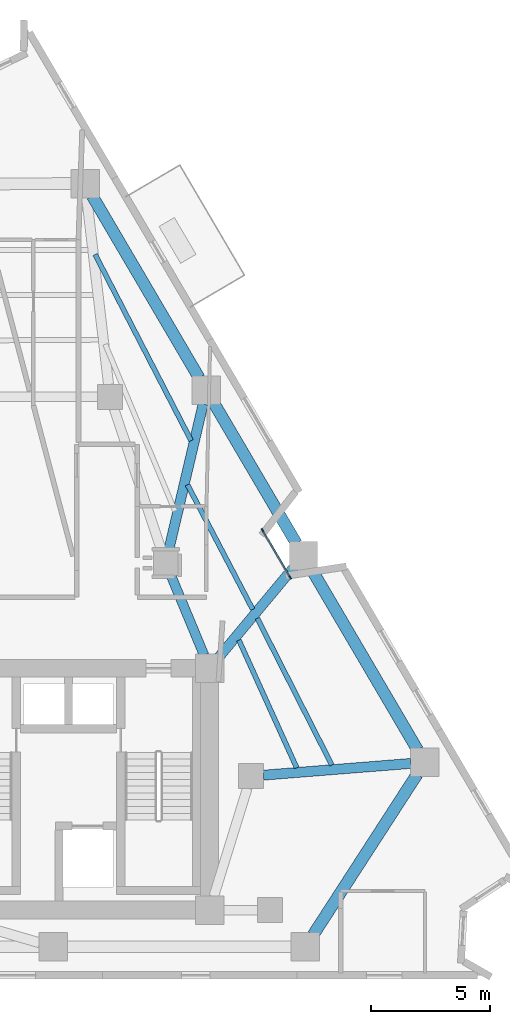
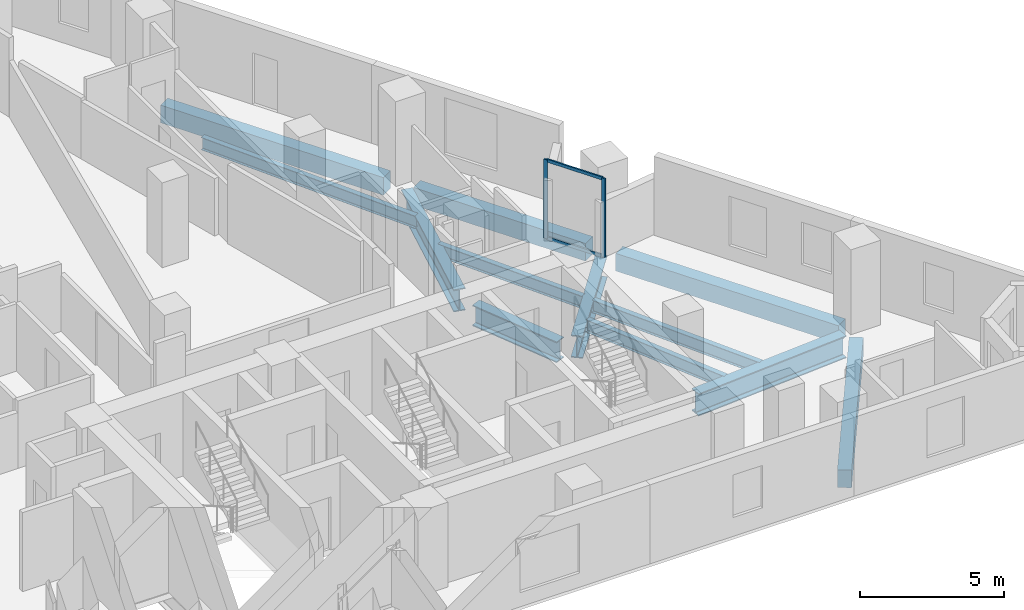
# One storey, part 4 of 11: 12 beams, 4 members, 1 element without a shape of its own.
"""IFC4 building model written with IfcOpenShell, lengths in metres."""

from ifc_helpers import new_model, si_unit, direction, frame, origin, origin_2d, place, context, subcontext, project, spatial, rectangle, i_section, extrude, material, layer, layer_set, material_profile, profile_set, type_object, element, aggregate, save


model = new_model("IFC4")

# Units and contexts
model_context = context("Model", 3, precision=1e-05, world=origin(), true_north=direction((0.0, 1.0)))
body_context = subcontext(model_context, "Body", "Model", "MODEL_VIEW")
ifc_project = project(units=[si_unit("LENGTHUNIT", "METRE"), si_unit("AREAUNIT", "SQUARE_METRE"), si_unit("VOLUMEUNIT", "CUBIC_METRE"), si_unit("PLANEANGLEUNIT", "RADIAN"), si_unit("MASSUNIT", "GRAM", prefix="KILO")], contexts=[model_context])

# Site, building, storey
site_placement = place(None, origin())
site = spatial("IfcSite", under=ifc_project, at=site_placement, CompositionType="ELEMENT")
building_placement = place(site_placement, origin())
building = spatial("IfcBuilding", under=site, at=building_placement, Name="Almagre Mirador Tower", CompositionType="ELEMENT")
storey_placement = place(building_placement, frame((0.0, 0.0, 124.800048828125)))
storey = spatial("IfcBuildingStorey", under=building, at=storey_placement, Name="L31", CompositionType="ELEMENT", Elevation=124.800048828125)

# Beams
ifc_material_1 = material(Name="Steel ASTM A992 Grade 50", Category="steel")
ifc_material_profile_1 = material_profile(ifc_material_1, i_section(OverallWidth=0.208984375, OverallDepth=0.532958984375, WebThickness=0.01025390625, FlangeThickness=0.015625, FilletRadius=0.01806640625, at=origin_2d()), Name="W21X62")
ifc_profile_set_1 = profile_set([ifc_material_profile_1], Name="Steel ASTM A992 Grade 50")
beam_type_1 = type_object("IfcBeamType", Name="BM-JST-W21X62", PredefinedType="JOIST", material=ifc_profile_set_1)
beam_1_placement = place(storey_placement, frame((52.208984375, 10.667724609375, -0.5166015625), z_axis=(-0.452785638359, 0.891619406303, 0.0), x_axis=(-0.891619406303, -0.452785638359, 0.0)))
element("IfcBeam", 1, at=beam_1_placement, inside=storey, type_object=beam_type_1, Name="L31 secondary floor joist PC05-PC06.2", PredefinedType="JOIST", context=body_context, shape_type="SweptSolid", body=[
    extrude(i_section(OverallWidth=0.208984375, OverallDepth=0.532958984375, WebThickness=0.01025390625, FlangeThickness=0.015625, FilletRadius=0.01806640625, at=origin_2d()), origin(), (0.0, 0.0, 1.0), 6.947021484375),
])
beam_2_placement = place(storey_placement, frame((50.726806640625, 10.552978515625, -0.5166015625), z_axis=(-0.412539238264, 0.910939831653, 0.0), x_axis=(-0.910939831653, -0.412539238264, 0.0)))
element("IfcBeam", 2, at=beam_2_placement, inside=storey, type_object=beam_type_1, Name="L31 secondary floor joist PC05-PC06.3", PredefinedType="JOIST", context=body_context, shape_type="SweptSolid", body=[
    extrude(i_section(OverallWidth=0.208984375, OverallDepth=0.532958984375, WebThickness=0.01025390625, FlangeThickness=0.015625, FilletRadius=0.01806640625, at=origin_2d()), origin(), (0.0, 0.0, 1.0), 5.911376953125),
])
beam_3_placement = place(storey_placement, frame((48.869384765625, 17.23779296875, -0.5166015625), z_axis=(-0.463750104962, 0.885966049094, 0.0), x_axis=(-0.885966049094, -0.463750104962, 0.0)))
element("IfcBeam", 3, at=beam_3_placement, inside=storey, type_object=beam_type_1, Name="L31 secondary floor joist PC06-PC07.2", PredefinedType="JOIST", context=body_context, shape_type="SweptSolid", body=[
    extrude(i_section(OverallWidth=0.208984375, OverallDepth=0.532958984375, WebThickness=0.01025390625, FlangeThickness=0.015625, FilletRadius=0.01806640625, at=origin_2d()), origin(), (0.0, 0.0, 1.0), 5.930908203125),
])
beam_4_placement = place(storey_placement, frame((46.27392578125, 24.352294921875, -0.5166015625), z_axis=(-0.458369241004, 0.888761857249, 0.0), x_axis=(-0.888761857249, -0.458369241004, 0.0)))
element("IfcBeam", 4, at=beam_4_placement, inside=storey, type_object=beam_type_1, Name="L31 secondary floor joist PC07-PC08.1", PredefinedType="JOIST", context=body_context, shape_type="SweptSolid", body=[
    extrude(i_section(OverallWidth=0.208984375, OverallDepth=0.532958984375, WebThickness=0.01025390625, FlangeThickness=0.015625, FilletRadius=0.01806640625, at=origin_2d()), origin(), (0.0, 0.0, 1.0), 8.840087890625),
])
ifc_material_2 = material(Name="Precast concrete C50/60", Category="concrete")
ifc_material_profile_2 = material_profile(ifc_material_2, rectangle(XDim=0.5, YDim=0.75, at=origin_2d()), Name="RC500X750")
ifc_profile_set_2 = profile_set([ifc_material_profile_2], Name="Precast concrete C50/60")
beam_type_2 = type_object("IfcBeamType", Name="BM-SPN-RC500X750", PredefinedType="SPANDREL", material=ifc_profile_set_2)
beam_5_placement = place(storey_placement, frame((51.422119140625, 3.503662109375, -0.625), z_axis=(0.543242499017, 0.839575837707, 0.0), x_axis=(-0.839575837707, 0.543242499017, 0.0)))
element("IfcBeam", 5, at=beam_5_placement, inside=storey, type_object=beam_type_2, Name="L31 perimeter spandrel beam PC04-PC05", PredefinedType="SPANDREL", context=body_context, shape_type="SweptSolid", body=[
    extrude(rectangle(XDim=0.5, YDim=0.75, at=origin_2d()), origin(), (0.0, 0.0, 1.0), 8.071533203125),
])
beam_6_placement = place(storey_placement, frame((55.8291015625, 11.301513671875, -0.625), z_axis=(-0.506318387543, 0.862346618498, 0.0), x_axis=(-0.862346618498, -0.506318387543, 0.0)))
element("IfcBeam", 6, at=beam_6_placement, inside=storey, type_object=beam_type_2, Name="L31 perimeter spandrel beam PC05-PC06", PredefinedType="SPANDREL", context=body_context, shape_type="SweptSolid", body=[
    extrude(rectangle(XDim=0.5, YDim=0.75, at=origin_2d()), origin(), (0.0, 0.0, 1.0), 8.911865234375),
])
beam_7_placement = place(storey_placement, frame((50.709228515625, 20.021484375, -0.625), z_axis=(-0.506343227047, 0.862332033745, 0.0), x_axis=(-0.862332033745, -0.506343227047, 0.0)))
element("IfcBeam", 7, at=beam_7_placement, inside=storey, type_object=beam_type_2, Name="L31 perimeter spandrel beam PC06-PC07", PredefinedType="SPANDREL", context=body_context, shape_type="SweptSolid", body=[
    extrude(rectangle(XDim=0.5, YDim=0.75, at=origin_2d()), origin(), (0.0, 0.0, 1.0), 6.8896484375),
])
beam_8_placement = place(storey_placement, frame((46.61328125, 26.997314453125, -0.625), z_axis=(-0.506326798076, 0.862341680281, 0.0), x_axis=(-0.862341680281, -0.506326798076, 0.0)))
element("IfcBeam", 8, at=beam_8_placement, inside=storey, type_object=beam_type_2, Name="L31 perimeter spandrel beam PC07-PC08", PredefinedType="SPANDREL", context=body_context, shape_type="SweptSolid", body=[
    extrude(rectangle(XDim=0.5, YDim=0.75, at=origin_2d()), origin(), (0.0, 0.0, 1.0), 8.912109375),
])
ifc_material_3 = material(Name="Steel ASTM A992 Grade 50", Category="steel")
ifc_material_profile_3 = material_profile(ifc_material_3, i_section(OverallWidth=0.404052734375, OverallDepth=0.884033203125, WebThickness=0.0244140625, FlangeThickness=0.0439453125, FilletRadius=0.02490234375, at=origin_2d()), Name="W33X291")
ifc_profile_set_3 = profile_set([ifc_material_profile_3], Name="Steel ASTM A992 Grade 50")
beam_type_3 = type_object("IfcBeamType", Name="BM-STL-W33X291", PredefinedType="BEAM", material=ifc_profile_set_3)
beam_9_placement = place(storey_placement, frame((45.401611328125, 18.715087890625, -0.692138671875), z_axis=(0.383845645019, -0.923397271384, 0.0), x_axis=(0.923397271384, 0.383845645019, 0.0)))
element("IfcBeam", 9, at=beam_9_placement, inside=storey, type_object=beam_type_3, Name="L31 core tie girder MC5-CC6", PredefinedType="BEAM", context=body_context, shape_type="SweptSolid", body=[
    extrude(i_section(OverallWidth=0.404052734375, OverallDepth=0.884033203125, WebThickness=0.0244140625, FlangeThickness=0.0439453125, FilletRadius=0.02490234375, at=origin_2d()), origin(), (0.0, 0.0, 1.0), 3.694091796875),
])
ifc_material_4 = material(Name="Steel ASTM A992 Grade 50", Category="steel")
ifc_material_profile_4 = material_profile(ifc_material_4, i_section(OverallWidth=0.423095703125, OverallDepth=0.947998046875, WebThickness=0.02392578125, FlangeThickness=0.042724609375, FilletRadius=0.028076171875, at=origin_2d()), Name="W36X302")
ifc_profile_set_4 = profile_set([ifc_material_profile_4], Name="Steel ASTM A992 Grade 50")
beam_type_4 = type_object("IfcBeamType", Name="BM-STL-W36X302", PredefinedType="BEAM", material=ifc_profile_set_4)
beam_10_placement = place(storey_placement, frame((55.534912109375, 10.736328125, -0.72412109375), z_axis=(-0.996844611006, -0.079377714181, 0.0), x_axis=(0.079377714181, -0.996844611006, 0.0)))
element("IfcBeam", 10, at=beam_10_placement, inside=storey, type_object=beam_type_4, Name="L31 radial floor girder PC05-MC3", PredefinedType="BEAM", context=body_context, shape_type="SweptSolid", body=[
    extrude(i_section(OverallWidth=0.423095703125, OverallDepth=0.947998046875, WebThickness=0.02392578125, FlangeThickness=0.042724609375, FilletRadius=0.028076171875, at=origin_2d()), origin(), (0.0, 0.0, 1.0), 6.2314453125),
])
beam_11_placement = place(storey_placement, frame((50.62890625, 19.043212890625, -0.72412109375), z_axis=(-0.640333592282, -0.768096927865, 0.0), x_axis=(0.768096927865, -0.640333592282, 0.0)))
element("IfcBeam", 11, at=beam_11_placement, inside=storey, type_object=beam_type_4, Name="L31 radial floor girder PC06-CC6", PredefinedType="BEAM", context=body_context, shape_type="SweptSolid", body=[
    extrude(i_section(OverallWidth=0.423095703125, OverallDepth=0.947998046875, WebThickness=0.02392578125, FlangeThickness=0.042724609375, FilletRadius=0.028076171875, at=origin_2d()), origin(), (0.0, 0.0, 1.0), 4.9892578125),
])
beam_12_placement = place(storey_placement, frame((46.779296875, 25.89599609375, -0.72412109375), z_axis=(-0.229551088102, -0.973296613552, 0.0), x_axis=(0.973296613552, -0.229551088102, 0.0)))
element("IfcBeam", 12, at=beam_12_placement, inside=storey, type_object=beam_type_4, Name="L31 radial floor girder PC07-MC5", PredefinedType="BEAM", context=body_context, shape_type="SweptSolid", body=[
    extrude(i_section(OverallWidth=0.423095703125, OverallDepth=0.947998046875, WebThickness=0.02392578125, FlangeThickness=0.042724609375, FilletRadius=0.028076171875, at=origin_2d()), origin(), (0.0, 0.0, 1.0), 6.354736328125),
])

# Curtain wall, members
ifc_material_5 = material(Name="Black anodized aluminium", Category="aluminium")
ifc_layer = layer(ifc_material_5, 0.169921875)
ifc_layer_set = layer_set([ifc_layer], Name="Black anodized aluminium")
curtain_wall_type = type_object("IfcCurtainWallType", Name="CW-CRS-SYS", PredefinedType="NOTDEFINED", material=ifc_layer_set)
curtain_wall_placement = place(storey_placement, origin())
curtain_wall = element("IfcCurtainWall", 13, at=curtain_wall_placement, inside=storey, type_object=curtain_wall_type, Name="L31 vertical crease curtain wall 03", PredefinedType="NOTDEFINED")
ifc_material_6 = material(Name="Black anodized aluminium", Category="aluminium")
ifc_material_profile_5 = material_profile(ifc_material_6, rectangle(XDim=0.06005859375, YDim=0.14990234375, at=origin_2d()), Name="CWM60X150")
ifc_profile_set_5 = profile_set([ifc_material_profile_5], Name="Black anodized aluminium")
member_type_1 = type_object("IfcMemberType", Name="MBR-CWM60X150", PredefinedType="MULLION", material=ifc_profile_set_5)
member_1_placement = place(storey_placement, frame((49.285400390625, 20.57080078125, 0.0), z_axis=(0.0, 0.0, 1.0), x_axis=(0.862339678382, 0.506330207561, 0.0)))
member_1 = element("IfcMember", 14, at=member_1_placement, type_object=member_type_1, Name="CW-4 mullion 1", PredefinedType="MULLION", context=body_context, shape_type="SweptSolid", body=[
    extrude(rectangle(XDim=0.06005859375, YDim=0.14990234375, at=origin_2d()), origin(), (0.0, 0.0, 1.0), 3.349853515625),
])
member_2_placement = place(storey_placement, frame((50.45458984375, 18.5791015625, 0.0), z_axis=(0.0, 0.0, 1.0), x_axis=(0.862339678382, 0.506330207561, 0.0)))
member_2 = element("IfcMember", 15, at=member_2_placement, type_object=member_type_1, Name="CW-4 mullion 2", PredefinedType="MULLION", context=body_context, shape_type="SweptSolid", body=[
    extrude(rectangle(XDim=0.06005859375, YDim=0.14990234375, at=origin_2d()), origin(), (0.0, 0.0, 1.0), 3.349853515625),
])
ifc_material_7 = material(Name="Black anodized aluminium", Category="aluminium")
ifc_material_profile_6 = material_profile(ifc_material_7, rectangle(XDim=0.06005859375, YDim=0.1298828125, at=origin_2d()), Name="CWT60X130")
ifc_profile_set_6 = profile_set([ifc_material_profile_6], Name="Black anodized aluminium")
member_type_2 = type_object("IfcMemberType", Name="MBR-CWT60X130", PredefinedType="USERDEFINED", material=ifc_profile_set_6)
member_3_placement = place(storey_placement, frame((49.300537109375, 20.544921875, 0.030029296875), z_axis=(0.506284795038, -0.86236634113, 0.0), x_axis=(0.86236634113, 0.506284795038, 0.0)))
member_3 = element("IfcMember", 16, at=member_3_placement, type_object=member_type_2, Name="CW-4 transom 1.1", ObjectType="TRANSOM", PredefinedType="USERDEFINED", context=body_context, shape_type="SweptSolid", body=[
    extrude(rectangle(XDim=0.06005859375, YDim=0.1298828125, at=origin_2d()), origin(), (0.0, 0.0, 1.0), 2.24951171875),
])
member_4_placement = place(storey_placement, frame((49.300537109375, 20.544921875, 3.320068359375), z_axis=(0.506284795038, -0.86236634113, 0.0), x_axis=(0.86236634113, 0.506284795038, 0.0)))
member_4 = element("IfcMember", 17, at=member_4_placement, type_object=member_type_2, Name="CW-4 transom 1.2", ObjectType="TRANSOM", PredefinedType="USERDEFINED", context=body_context, shape_type="SweptSolid", body=[
    extrude(rectangle(XDim=0.06005859375, YDim=0.1298828125, at=origin_2d()), origin(), (0.0, 0.0, 1.0), 2.24951171875),
])
aggregate(curtain_wall, [member_1, member_2, member_3, member_4])

save(model, "model.ifc")
